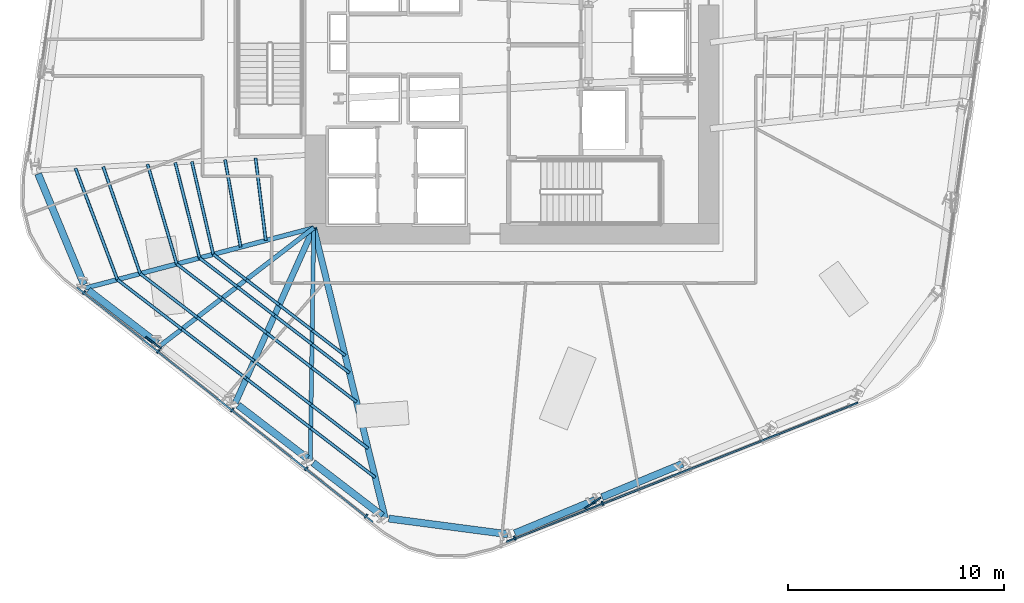
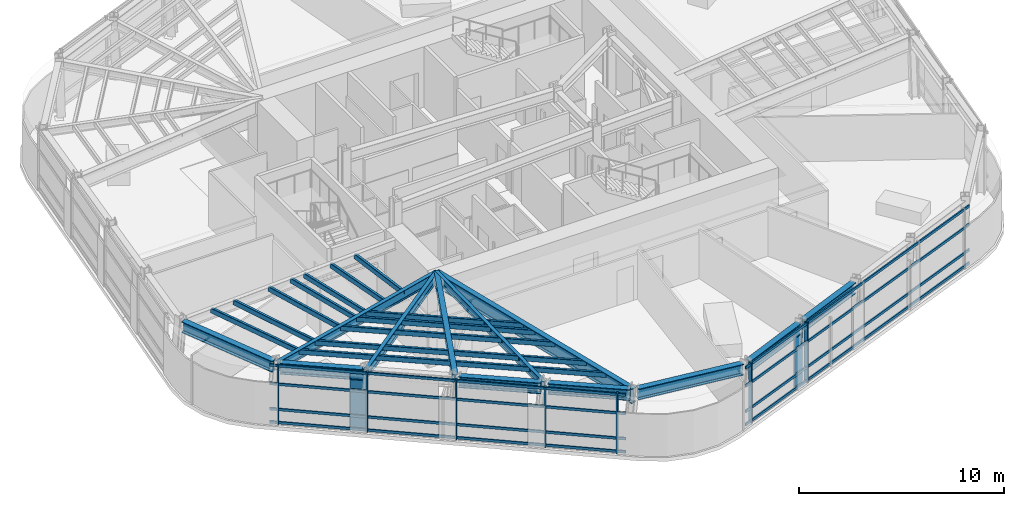
# One storey, part 2 of 17: 44 members, 12 beams, 2 elements without a shape of their own.
"""IFC4 building model written with IfcOpenShell, lengths in metres."""

from ifc_helpers import new_model, si_unit, direction, frame, origin, origin_2d, place, context, subcontext, project, spatial, rectangle, hollow_rectangle, i_section, extrude, material, layer, layer_set, material_profile, profile_set, type_object, element, aggregate, save


model = new_model("IFC4")

# Units and contexts
model_context = context("Model", 3, precision=1e-05, world=origin(), true_north=direction((0.0, 1.0)))
body_context = subcontext(model_context, "Body", "Model", "MODEL_VIEW")
ifc_project = project(units=[si_unit("LENGTHUNIT", "METRE"), si_unit("AREAUNIT", "SQUARE_METRE"), si_unit("VOLUMEUNIT", "CUBIC_METRE"), si_unit("PLANEANGLEUNIT", "RADIAN"), si_unit("MASSUNIT", "GRAM", prefix="KILO")], contexts=[model_context])

# Site, building, storey
site_placement = place(None, origin())
site = spatial("IfcSite", under=ifc_project, at=site_placement, CompositionType="ELEMENT")
building_placement = place(site_placement, origin())
building = spatial("IfcBuilding", under=site, at=building_placement, Name="Valkerne Bourse Tower", CompositionType="ELEMENT")
storey_placement = place(building_placement, frame((0.0, 0.0, 116.199951171875)))
storey = spatial("IfcBuildingStorey", under=building, at=storey_placement, Name="L29", CompositionType="ELEMENT", Elevation=116.199951171875)

# Beams
ifc_material_1 = material(Name="Steel ASTM A992", Category="steel")
ifc_material_profile_1 = material_profile(ifc_material_1, i_section(OverallWidth=0.1904296875, OverallDepth=0.457275390625, WebThickness=0.009033203125, FlangeThickness=0.014404296875, FilletRadius=0.01513671875, at=origin_2d()), Name="W18X50")
ifc_profile_set_1 = profile_set([ifc_material_profile_1], Name="Steel ASTM A992")
beam_type_1 = type_object("IfcBeamType", Name="BM-W18X50", PredefinedType="JOIST", material=ifc_profile_set_1)
beam_1_placement = place(storey_placement, frame((37.43994140625, 7.601806640625, 3.3515625), z_axis=(0.014830266494, 0.999890025551, 0.0), x_axis=(-0.999890025551, 0.014830266494, 0.0)))
element("IfcBeam", 1, at=beam_1_placement, inside=storey, type_object=beam_type_1, Name="L29 Radial Composite Floor Beam 18", PredefinedType="JOIST", context=body_context, shape_type="SweptSolid", body=[
    extrude(i_section(OverallWidth=0.1904296875, OverallDepth=0.457275390625, WebThickness=0.009033203125, FlangeThickness=0.014404296875, FilletRadius=0.01513671875, at=origin_2d()), origin(), (0.0, 0.0, 1.0), 10.79931640625),
])
ifc_material_profile_2 = material_profile(ifc_material_1, i_section(OverallWidth=0.279296875, OverallDepth=0.46240234375, WebThickness=0.0107421875, FlangeThickness=0.017333984375, FilletRadius=0.017822265625, at=origin_2d()), Name="W18X76")
ifc_profile_set_2 = profile_set([ifc_material_profile_2], Name="Steel ASTM A992")
beam_type_2 = type_object("IfcBeamType", Name="BM-W18X76", PredefinedType="BEAM", material=ifc_profile_set_2)
beam_2_placement = place(storey_placement, frame((33.962646484375, 10.27001953125, 3.348876953125), z_axis=(0.408403325383, 0.912801579653, 0.0), x_axis=(-0.912801579653, 0.408403325383, 0.0)))
element("IfcBeam", 2, at=beam_2_placement, inside=storey, type_object=beam_type_2, Name="L29 Radial Composite Floor Beam 17", PredefinedType="BEAM", context=body_context, shape_type="SweptSolid", body=[
    extrude(i_section(OverallWidth=0.279296875, OverallDepth=0.46240234375, WebThickness=0.0107421875, FlangeThickness=0.017333984375, FilletRadius=0.017822265625, at=origin_2d()), origin(), (0.0, 0.0, 1.0), 8.906494140625),
])
ifc_material_profile_3 = material_profile(ifc_material_1, i_section(OverallWidth=0.209228515625, OverallDepth=0.533447265625, WebThickness=0.01025390625, FlangeThickness=0.015625, FilletRadius=0.017822265625, at=origin_2d()), Name="W21X62")
ifc_profile_set_3 = profile_set([ifc_material_profile_3], Name="Steel ASTM A992")
beam_type_3 = type_object("IfcBeamType", Name="BM-W21X62", PredefinedType="JOIST", material=ifc_profile_set_3)
beam_3_placement = place(storey_placement, frame((30.4853515625, 12.938232421875, 3.313232421875), z_axis=(0.79322768856, 0.608925146551, 0.0), x_axis=(-0.608925146551, 0.79322768856, 0.0)))
element("IfcBeam", 3, at=beam_3_placement, inside=storey, type_object=beam_type_3, Name="L29 Radial Composite Floor Beam 16", PredefinedType="JOIST", context=body_context, shape_type="SweptSolid", body=[
    extrude(i_section(OverallWidth=0.209228515625, OverallDepth=0.533447265625, WebThickness=0.01025390625, FlangeThickness=0.015625, FilletRadius=0.017822265625, at=origin_2d()), origin(), (0.0, 0.0, 1.0), 8.969482421875),
])
ifc_material_profile_4 = material_profile(ifc_material_1, i_section(OverallWidth=0.2138671875, OverallDepth=0.548583984375, WebThickness=0.0146484375, FlangeThickness=0.023681640625, FilletRadius=0.017822265625, at=origin_2d()), Name="W21X93")
ifc_profile_set_4 = profile_set([ifc_material_profile_4], Name="Steel ASTM A992")
beam_type_4 = type_object("IfcBeamType", Name="BM-W21X93", PredefinedType="BEAM", material=ifc_profile_set_4)
beam_4_placement = place(storey_placement, frame((27.008056640625, 15.6064453125, 3.3056640625), z_axis=(0.966937844561, 0.255012165898, 0.0), x_axis=(-0.255012165898, 0.966937844561, 0.0)))
element("IfcBeam", 4, at=beam_4_placement, inside=storey, type_object=beam_type_4, Name="L29 Radial Composite Floor Beam 15", PredefinedType="BEAM", context=body_context, shape_type="SweptSolid", body=[
    extrude(i_section(OverallWidth=0.2138671875, OverallDepth=0.548583984375, WebThickness=0.0146484375, FlangeThickness=0.023681640625, FilletRadius=0.017822265625, at=origin_2d()), origin(), (0.0, 0.0, 1.0), 10.9541015625),
])
ifc_material_profile_5 = material_profile(ifc_material_1, i_section(OverallWidth=0.330078125, OverallDepth=0.647705078125, WebThickness=0.0205078125, FlangeThickness=0.037109375, FilletRadius=0.020263671875, at=origin_2d()), Name="W24X192")
ifc_profile_set_5 = profile_set([ifc_material_profile_5], Name="Steel ASTM A992")
beam_type_5 = type_object("IfcBeamType", Name="BM-W24X192", PredefinedType="SPANDREL", material=ifc_profile_set_5)
beam_5_placement = place(storey_placement, frame((24.813720703125, 20.904296875, 3.25634765625), z_axis=(0.382679875266, -0.923881005902, 0.0), x_axis=(0.923881005902, 0.382679875266, 0.0)))
element("IfcBeam", 5, at=beam_5_placement, inside=storey, type_object=beam_type_5, Name="L29 Hexagonal Spandrel Ring Beam 14", PredefinedType="SPANDREL", context=body_context, shape_type="SweptSolid", body=[
    extrude(i_section(OverallWidth=0.330078125, OverallDepth=0.647705078125, WebThickness=0.0205078125, FlangeThickness=0.037109375, FilletRadius=0.020263671875, at=origin_2d()), origin(), (0.0, 0.0, 1.0), 5.564453125),
])
beam_6_placement = place(storey_placement, frame((27.14306640625, 15.5029296875, 3.25634765625), z_axis=(0.793335100827, -0.608785198404, 0.0), x_axis=(0.608785198404, 0.793335100827, 0.0)))
element("IfcBeam", 6, at=beam_6_placement, inside=storey, type_object=beam_type_5, Name="L29 Hexagonal Spandrel Ring Beam 15", PredefinedType="SPANDREL", context=body_context, shape_type="SweptSolid", body=[
    extrude(i_section(OverallWidth=0.330078125, OverallDepth=0.647705078125, WebThickness=0.0205078125, FlangeThickness=0.037109375, FilletRadius=0.020263671875, at=origin_2d()), origin(), (0.0, 0.0, 1.0), 4.042724609375),
])
for number, where, z_axis, x_axis, name in (
    (7, (34.097412109375, 10.16650390625, 3.25634765625), (0.79335748069, -0.608756033098, 0.0), (0.608756033098, 0.79335748069, 0.0), "L29 Hexagonal Spandrel Ring Beam 17"),
    (8, (37.57470703125, 7.498291015625, 3.25634765625), (0.79335748069, -0.608756033098, 0.0), (0.608756033098, 0.79335748069, 0.0), "L29 Hexagonal Spandrel Ring Beam 18"),
):
    element("IfcBeam", number, at=place(storey_placement, frame(where, z_axis=z_axis, x_axis=x_axis)), inside=storey, type_object=beam_type_5, Name=name, PredefinedType="SPANDREL", context=body_context, shape_type="SweptSolid", body=[
        extrude(i_section(OverallWidth=0.330078125, OverallDepth=0.647705078125, WebThickness=0.0205078125, FlangeThickness=0.037109375, FilletRadius=0.020263671875, at=origin_2d()), origin(), (0.0, 0.0, 1.0), 4.04296875),
    ])
beam_7_placement = place(storey_placement, frame((41.085693359375, 4.911376953125, 3.25634765625), z_axis=(0.991445333406, -0.13052260673, 0.0), x_axis=(0.13052260673, 0.991445333406, 0.0)))
element("IfcBeam", 9, at=beam_7_placement, inside=storey, type_object=beam_type_5, Name="L29 Hexagonal Spandrel Ring Beam 19", PredefinedType="SPANDREL", context=body_context, shape_type="SweptSolid", body=[
    extrude(i_section(OverallWidth=0.330078125, OverallDepth=0.647705078125, WebThickness=0.0205078125, FlangeThickness=0.037109375, FilletRadius=0.020263671875, at=origin_2d()), origin(), (0.0, 0.0, 1.0), 5.564697265625),
])
beam_8_placement = place(storey_placement, frame((46.92822265625, 4.22802734375, 3.25634765625), z_axis=(0.923889513086, 0.382659336237, 0.0), x_axis=(-0.382659336237, 0.923889513086, 0.0)))
element("IfcBeam", 10, at=beam_8_placement, inside=storey, type_object=beam_type_5, Name="L29 Hexagonal Spandrel Ring Beam 20", PredefinedType="SPANDREL", context=body_context, shape_type="SweptSolid", body=[
    extrude(i_section(OverallWidth=0.330078125, OverallDepth=0.647705078125, WebThickness=0.0205078125, FlangeThickness=0.037109375, FilletRadius=0.020263671875, at=origin_2d()), origin(), (0.0, 0.0, 1.0), 4.04296875),
])
beam_9_placement = place(storey_placement, frame((50.977783203125, 5.9052734375, 3.25634765625), z_axis=(0.923880670291, 0.382680685511, 0.0), x_axis=(-0.382680685511, 0.923880670291, 0.0)))
element("IfcBeam", 11, at=beam_9_placement, inside=storey, type_object=beam_type_5, Name="L29 Hexagonal Spandrel Ring Beam 21", PredefinedType="SPANDREL", context=body_context, shape_type="SweptSolid", body=[
    extrude(i_section(OverallWidth=0.330078125, OverallDepth=0.647705078125, WebThickness=0.0205078125, FlangeThickness=0.037109375, FilletRadius=0.020263671875, at=origin_2d()), origin(), (0.0, 0.0, 1.0), 4.042724609375),
])
ifc_material_profile_6 = material_profile(ifc_material_1, i_section(OverallWidth=0.2919921875, OverallDepth=0.8583984375, WebThickness=0.01708984375, FlangeThickness=0.031005859375, FilletRadius=0.025390625, at=origin_2d()), Name="W33X169")
ifc_profile_set_6 = profile_set([ifc_material_profile_6], Name="Steel ASTM A992")
beam_type_6 = type_object("IfcBeamType", Name="BM-W33X169", PredefinedType="BEAM", material=ifc_profile_set_6)
beam_10_placement = place(storey_placement, frame((40.9169921875, 4.93359375, 3.15087890625), z_axis=(-0.239162552574, 0.970979543269, 0.0), x_axis=(-0.970979543269, -0.239162552574, 0.0)))
element("IfcBeam", 12, at=beam_10_placement, inside=storey, type_object=beam_type_6, Name="L29 Radial Composite Floor Beam 19", PredefinedType="BEAM", context=body_context, shape_type="SweptSolid", body=[
    extrude(i_section(OverallWidth=0.2919921875, OverallDepth=0.8583984375, WebThickness=0.01708984375, FlangeThickness=0.031005859375, FilletRadius=0.025390625, at=origin_2d()), origin(), (0.0, 0.0, 1.0), 13.868896484375),
])

# Curtain wall, members
ifc_material_2 = material(Name="Aluminium AA 6063-T6", Category="aluminium")
ifc_layer = layer(ifc_material_2, 0.22998046875)
ifc_layer_set = layer_set([ifc_layer], Name="Aluminium AA 6063-T6")
curtain_wall_type = type_object("IfcCurtainWallType", Name="CW-02", PredefinedType="NOTDEFINED", material=ifc_layer_set)
curtain_wall_1_placement = place(storey_placement, origin())
curtain_wall_1 = element("IfcCurtainWall", 13, at=curtain_wall_1_placement, inside=storey, type_object=curtain_wall_type, Name="L29 Hexagonal Stick Curtain Wall Face 4", PredefinedType="NOTDEFINED")
ifc_material_profile_7 = material_profile(ifc_material_2, rectangle(XDim=0.074951171875, YDim=0.199951171875, at=origin_2d()), Name="CWM-75X200")
ifc_profile_set_7 = profile_set([ifc_material_profile_7], Name="Aluminium AA 6063-T6")
member_type_1 = type_object("IfcMemberType", Name="CW-MUL-220X75", PredefinedType="MULLION", material=ifc_profile_set_7)
member_1_placement = place(storey_placement, frame((26.94970703125, 15.391357421875, 0.0), z_axis=(0.0, 0.0, 1.0), x_axis=(0.783689924695, -0.621152237323, 0.0)))
member_1 = element("IfcMember", 14, at=member_1_placement, type_object=member_type_1, Name="CW-L29-F4 Jamb Mullion 00A", PredefinedType="MULLION", context=body_context, shape_type="SweptSolid", body=[
    extrude(rectangle(XDim=0.074951171875, YDim=0.199951171875, at=origin_2d()), origin(), (0.0, 0.0, 1.0), 3.580078125),
])
member_2_placement = place(storey_placement, frame((30.384521484375, 12.6689453125, 0.0), z_axis=(0.0, 0.0, 1.0), x_axis=(0.783689924695, -0.621152237323, 0.0)))
member_2 = element("IfcMember", 15, at=member_2_placement, type_object=member_type_1, Name="CW-L29-F4 Jamb Mullion 01A", PredefinedType="MULLION", context=body_context, shape_type="SweptSolid", body=[
    extrude(rectangle(XDim=0.074951171875, YDim=0.199951171875, at=origin_2d()), origin(), (0.0, 0.0, 1.0), 3.580078125),
])
member_3_placement = place(storey_placement, frame((33.8193359375, 9.9462890625, 0.0), z_axis=(0.0, 0.0, 1.0), x_axis=(0.783689924695, -0.621152237323, 0.0)))
member_3 = element("IfcMember", 16, at=member_3_placement, type_object=member_type_1, Name="CW-L29-F4 Jamb Mullion 02A", PredefinedType="MULLION", context=body_context, shape_type="SweptSolid", body=[
    extrude(rectangle(XDim=0.074951171875, YDim=0.199951171875, at=origin_2d()), origin(), (0.0, 0.0, 1.0), 3.580078125),
])
member_4_placement = place(storey_placement, frame((37.25439453125, 7.223876953125, 0.0), z_axis=(0.0, 0.0, 1.0), x_axis=(0.783698727371, -0.621141131078, 0.0)))
member_4 = element("IfcMember", 17, at=member_4_placement, type_object=member_type_1, Name="CW-L29-F4 Jamb Mullion 03A", PredefinedType="MULLION", context=body_context, shape_type="SweptSolid", body=[
    extrude(rectangle(XDim=0.074951171875, YDim=0.199951171875, at=origin_2d()), origin(), (0.0, 0.0, 1.0), 3.580078125),
])
member_5_placement = place(storey_placement, frame((40.031005859375, 5.023193359375, 0.0), z_axis=(0.0, 0.0, 1.0), x_axis=(0.783698727371, -0.621141131078, 0.0)))
member_5 = element("IfcMember", 18, at=member_5_placement, type_object=member_type_1, Name="CW-L29-F4 Jamb Mullion 03B", PredefinedType="MULLION", context=body_context, shape_type="SweptSolid", body=[
    extrude(rectangle(XDim=0.074951171875, YDim=0.199951171875, at=origin_2d()), origin(), (0.0, 0.0, 1.0), 3.580078125),
])

curtain_wall_2_placement = place(storey_placement, origin())
curtain_wall_2 = element("IfcCurtainWall", 19, at=curtain_wall_2_placement, inside=storey, type_object=curtain_wall_type, Name="L29 Hexagonal Stick Curtain Wall Face 5", PredefinedType="NOTDEFINED")
member_6_placement = place(storey_placement, frame((46.92822265625, 4.004638671875, 0.0), z_axis=(0.0, 0.0, 1.0), x_axis=(0.929783187694, 0.368107625404, 0.0)))
member_6 = element("IfcMember", 20, at=member_6_placement, type_object=member_type_1, Name="CW-L29-F5 Jamb Mullion 00A", PredefinedType="MULLION", context=body_context, shape_type="SweptSolid", body=[
    extrude(rectangle(XDim=0.074951171875, YDim=0.199951171875, at=origin_2d()), origin(), (0.0, 0.0, 1.0), 3.580078125),
])
member_7_placement = place(storey_placement, frame((51.00341796875, 5.6181640625, 0.0), z_axis=(0.0, 0.0, 1.0), x_axis=(0.929775378666, 0.368127349196, 0.0)))
member_7 = element("IfcMember", 21, at=member_7_placement, type_object=member_type_1, Name="CW-L29-F5 Jamb Mullion 01A", PredefinedType="MULLION", context=body_context, shape_type="SweptSolid", body=[
    extrude(rectangle(XDim=0.074951171875, YDim=0.199951171875, at=origin_2d()), origin(), (0.0, 0.0, 1.0), 3.580078125),
])

# Member
ifc_material_profile_8 = material_profile(ifc_material_2, rectangle(XDim=0.074951171875, YDim=0.14990234375, at=origin_2d()), Name="CWT-75X150")
ifc_profile_set_8 = profile_set([ifc_material_profile_8], Name="Aluminium AA 6063-T6")
member_type_2 = type_object("IfcMemberType", Name="CW-TRN-180X65", PredefinedType="USERDEFINED", material=ifc_profile_set_8)
member_8_placement = place(storey_placement, frame((26.60791015625, 15.63671875, 0.1201171875), z_axis=(0.783689343701, -0.621152970346, 0.0), x_axis=(0.621152970346, 0.783689343701, 0.0)))
member_8 = element("IfcMember", 22, at=member_8_placement, type_object=member_type_2, Name="CW-L29-F4 Continuous Face Transom 1", ObjectType="TRANSOM", PredefinedType="USERDEFINED", context=body_context, shape_type="SweptSolid", body=[
    extrude(rectangle(XDim=0.074951171875, YDim=0.14990234375, at=origin_2d()), origin(), (0.0, 0.0, 1.0), 17.5322265625),
])

member_9_placement = place(storey_placement, frame((26.60791015625, 15.63671875, 0.900146484375), z_axis=(0.783689343701, -0.621152970346, 0.0), x_axis=(0.621152970346, 0.783689343701, 0.0)))
member_9 = element("IfcMember", 23, at=member_9_placement, type_object=member_type_2, Name="CW-L29-F4 Continuous Face Transom 2", ObjectType="TRANSOM", PredefinedType="USERDEFINED", context=body_context, shape_type="SweptSolid", body=[
    extrude(rectangle(XDim=0.074951171875, YDim=0.14990234375, at=origin_2d()), origin(), (0.0, 0.0, 1.0), 17.5322265625),
])

member_10_placement = place(storey_placement, frame((26.60791015625, 15.63671875, 2.400146484375), z_axis=(0.783689343701, -0.621152970346, 0.0), x_axis=(0.621152970346, 0.783689343701, 0.0)))
member_10 = element("IfcMember", 24, at=member_10_placement, type_object=member_type_2, Name="CW-L29-F4 Continuous Face Transom 3", ObjectType="TRANSOM", PredefinedType="USERDEFINED", context=body_context, shape_type="SweptSolid", body=[
    extrude(rectangle(XDim=0.074951171875, YDim=0.14990234375, at=origin_2d()), origin(), (0.0, 0.0, 1.0), 17.5322265625),
])

member_11_placement = place(storey_placement, frame((26.60791015625, 15.63671875, 3.5), z_axis=(0.783689343701, -0.621152970346, 0.0), x_axis=(0.621152970346, 0.783689343701, 0.0)))
member_11 = element("IfcMember", 25, at=member_11_placement, type_object=member_type_2, Name="CW-L29-F4 Continuous Face Transom 4", ObjectType="TRANSOM", PredefinedType="USERDEFINED", context=body_context, shape_type="SweptSolid", body=[
    extrude(rectangle(XDim=0.074951171875, YDim=0.14990234375, at=origin_2d()), origin(), (0.0, 0.0, 1.0), 17.5322265625),
])

aggregate(curtain_wall_1, [member_8, member_9, member_10, member_11, member_1, member_2, member_3, member_4, member_5])

member_12_placement = place(storey_placement, frame((46.544921875, 3.83154296875, 0.1201171875), z_axis=(0.929778017262, 0.368120684854, 0.0), x_axis=(-0.368120684854, 0.929778017262, 0.0)))
member_12 = element("IfcMember", 26, at=member_12_placement, type_object=member_type_2, Name="CW-L29-F5 Continuous Face Transom 1", ObjectType="TRANSOM", PredefinedType="USERDEFINED", context=body_context, shape_type="SweptSolid", body=[
    extrude(rectangle(XDim=0.074951171875, YDim=0.14990234375, at=origin_2d()), origin(), (0.0, 0.0, 1.0), 17.531982421875),
])

member_13_placement = place(storey_placement, frame((46.544921875, 3.83154296875, 0.900146484375), z_axis=(0.929778017262, 0.368120684854, 0.0), x_axis=(-0.368120684854, 0.929778017262, 0.0)))
member_13 = element("IfcMember", 27, at=member_13_placement, type_object=member_type_2, Name="CW-L29-F5 Continuous Face Transom 2", ObjectType="TRANSOM", PredefinedType="USERDEFINED", context=body_context, shape_type="SweptSolid", body=[
    extrude(rectangle(XDim=0.074951171875, YDim=0.14990234375, at=origin_2d()), origin(), (0.0, 0.0, 1.0), 17.531982421875),
])

member_14_placement = place(storey_placement, frame((46.544921875, 3.83154296875, 2.400146484375), z_axis=(0.929778017262, 0.368120684854, 0.0), x_axis=(-0.368120684854, 0.929778017262, 0.0)))
member_14 = element("IfcMember", 28, at=member_14_placement, type_object=member_type_2, Name="CW-L29-F5 Continuous Face Transom 3", ObjectType="TRANSOM", PredefinedType="USERDEFINED", context=body_context, shape_type="SweptSolid", body=[
    extrude(rectangle(XDim=0.074951171875, YDim=0.14990234375, at=origin_2d()), origin(), (0.0, 0.0, 1.0), 17.531982421875),
])

member_15_placement = place(storey_placement, frame((46.544921875, 3.83154296875, 3.5), z_axis=(0.929778017262, 0.368120684854, 0.0), x_axis=(-0.368120684854, 0.929778017262, 0.0)))
member_15 = element("IfcMember", 29, at=member_15_placement, type_object=member_type_2, Name="CW-L29-F5 Continuous Face Transom 4", ObjectType="TRANSOM", PredefinedType="USERDEFINED", context=body_context, shape_type="SweptSolid", body=[
    extrude(rectangle(XDim=0.074951171875, YDim=0.14990234375, at=origin_2d()), origin(), (0.0, 0.0, 1.0), 17.531982421875),
])

aggregate(curtain_wall_2, [member_12, member_13, member_14, member_15, member_6, member_7])

# Members
ifc_material_3 = material(Name="Bronze Anodised Aluminium AA 6063-T6", Category="aluminium")
ifc_material_profile_9 = material_profile(ifc_material_3, rectangle(XDim=0.070068359375, YDim=0.89990234375, at=origin_2d()), Name="FIN-70X900")
ifc_profile_set_9 = profile_set([ifc_material_profile_9], Name="Bronze Anodised Aluminium AA 6063-T6")
member_type_3 = type_object("IfcMemberType", Name="FIN-SOLAR-900", PredefinedType="USERDEFINED", material=ifc_profile_set_9)
for number, where, z_axis, x_axis, name in (
    (30, (30.1669921875, 13.07080078125, 0.004150390625), (0.0, 0.0, 1.0), (-0.603985645978, -0.796995194121, 0.0), "L29 Bronze Anodised Solar Fin F4-01"),
    (31, (50.546630859375, 5.630859375, 0.004150390625), (0.0, 0.0, 1.0), (0.563508837311, -0.826110035209, 0.0), "L29 Bronze Anodised Solar Fin F5-01"),
):
    element("IfcMember", number, at=place(storey_placement, frame(where, z_axis=z_axis, x_axis=x_axis)), inside=storey, type_object=member_type_3, Name=name, ObjectType="SOLAR_FIN", PredefinedType="USERDEFINED", context=body_context, shape_type="SweptSolid", body=[
        extrude(rectangle(XDim=0.070068359375, YDim=0.89990234375, at=origin_2d()), origin(), (0.0, 0.0, 1.0), 3.57177734375),
    ])
ifc_material_4 = material(Name="Steel ASTM A500 Grade C", Category="steel")
ifc_material_profile_10 = material_profile(ifc_material_4, hollow_rectangle(XDim=0.14990234375, YDim=0.300048828125, WallThickness=0.012451171875, OuterFilletRadius=0.02490234375, at=origin_2d()), Name="HSS300X150X12.5")
ifc_profile_set_10 = profile_set([ifc_material_profile_10], Name="Steel ASTM A500 Grade C")
member_type_4 = type_object("IfcMemberType", Name="MBR-HSS300X150X12.5", PredefinedType="PURLIN", material=ifc_profile_set_10)
member_16_placement = place(storey_placement, frame((33.487548828125, 21.563720703125, 3.420166015625), z_axis=(0.175454401242, -0.984487558624, 0.0), x_axis=(0.984487558624, 0.175454401242, 0.0)))
element("IfcMember", 32, at=member_16_placement, inside=storey, type_object=member_type_4, Name="L29 Secondary Composite Floor Purlin I-14", PredefinedType="PURLIN", context=body_context, shape_type="SweptSolid", body=[
    extrude(hollow_rectangle(XDim=0.14990234375, YDim=0.300048828125, WallThickness=0.012451171875, OuterFilletRadius=0.02490234375, at=origin_2d()), origin(), (0.0, 0.0, 1.0), 4.12158203125),
])
member_17_placement = place(storey_placement, frame((31.9453125, 21.47509765625, 3.420166015625), z_axis=(0.225097639733, -0.974336211267, 0.0), x_axis=(0.974336211267, 0.225097639733, 0.0)))
element("IfcMember", 33, at=member_17_placement, inside=storey, type_object=member_type_4, Name="L29 Secondary Composite Floor Purlin K-14", PredefinedType="PURLIN", context=body_context, shape_type="SweptSolid", body=[
    extrude(hollow_rectangle(XDim=0.14990234375, YDim=0.300048828125, WallThickness=0.012451171875, OuterFilletRadius=0.02490234375, at=origin_2d()), origin(), (0.0, 0.0, 1.0), 4.41748046875),
])
for number, where, z_axis, x_axis, name in (
    (34, (32.939697265625, 17.1708984375, 3.420166015625), (0.793296527688, -0.608835461483, 0.0), (0.608835461483, 0.793296527688, 0.0), "L29 Secondary Composite Floor Purlin K-15"),
    (35, (34.469482421875, 15.996826171875, 3.420166015625), (0.793343450023, -0.608774318041, 0.0), (0.608774318041, 0.793343450023, 0.0), "L29 Secondary Composite Floor Purlin K-16"),
    (36, (35.99951171875, 14.82275390625, 3.420166015625), (0.793343450023, -0.608774318041, 0.0), (0.608774318041, 0.793343450023, 0.0), "L29 Secondary Composite Floor Purlin K-17"),
    (37, (37.529541015625, 13.648681640625, 3.420166015625), (0.793404589843, -0.608694633471, 0.0), (0.608694633471, 0.793404589843, 0.0), "L29 Secondary Composite Floor Purlin K-18"),
):
    element("IfcMember", number, at=place(storey_placement, frame(where, z_axis=z_axis, x_axis=x_axis)), inside=storey, type_object=member_type_4, Name=name, PredefinedType="PURLIN", context=body_context, shape_type="SweptSolid", body=[
        extrude(hollow_rectangle(XDim=0.14990234375, YDim=0.300048828125, WallThickness=0.012451171875, OuterFilletRadius=0.02490234375, at=origin_2d()), origin(), (0.0, 0.0, 1.0), 1.928466796875),
    ])
member_18_placement = place(storey_placement, frame((31.17431640625, 21.4306640625, 3.420166015625), z_axis=(0.247272251738, -0.968946042626, 0.0), x_axis=(0.968946042626, 0.247272251738, 0.0)))
element("IfcMember", 38, at=member_18_placement, inside=storey, type_object=member_type_4, Name="L29 Secondary Composite Floor Purlin M-14", PredefinedType="PURLIN", context=body_context, shape_type="SweptSolid", body=[
    extrude(hollow_rectangle(XDim=0.14990234375, YDim=0.300048828125, WallThickness=0.012451171875, OuterFilletRadius=0.02490234375, at=origin_2d()), origin(), (0.0, 0.0, 1.0), 4.5693359375),
])
for number, where, z_axis, x_axis, name in (
    (39, (32.30419921875, 17.003173828125, 3.420166015625), (0.79336063016, -0.608751928549, 0.0), (0.608751928549, 0.79336063016, 0.0), "L29 Secondary Composite Floor Purlin M-15"),
    (40, (34.042724609375, 15.669189453125, 3.420166015625), (0.793306823478, -0.608822046104, 0.0), (0.608822046104, 0.793306823478, 0.0), "L29 Secondary Composite Floor Purlin M-16"),
):
    element("IfcMember", number, at=place(storey_placement, frame(where, z_axis=z_axis, x_axis=x_axis)), inside=storey, type_object=member_type_4, Name=name, PredefinedType="PURLIN", context=body_context, shape_type="SweptSolid", body=[
        extrude(hollow_rectangle(XDim=0.14990234375, YDim=0.300048828125, WallThickness=0.012451171875, OuterFilletRadius=0.02490234375, at=origin_2d()), origin(), (0.0, 0.0, 1.0), 2.19140625),
    ])
member_19_placement = place(storey_placement, frame((35.78125, 14.3349609375, 3.420166015625), z_axis=(0.793401911405, -0.608698124672, 0.0), x_axis=(0.608698124672, 0.793401911405, 0.0)))
element("IfcMember", 41, at=member_19_placement, inside=storey, type_object=member_type_4, Name="L29 Secondary Composite Floor Purlin M-17", PredefinedType="PURLIN", context=body_context, shape_type="SweptSolid", body=[
    extrude(hollow_rectangle(XDim=0.14990234375, YDim=0.300048828125, WallThickness=0.012451171875, OuterFilletRadius=0.02490234375, at=origin_2d()), origin(), (0.0, 0.0, 1.0), 2.191650390625),
])
member_20_placement = place(storey_placement, frame((37.52001953125, 13.0009765625, 3.420166015625), z_axis=(0.793306823478, -0.608822046104, 0.0), x_axis=(0.608822046104, 0.793306823478, 0.0)))
element("IfcMember", 42, at=member_20_placement, inside=storey, type_object=member_type_4, Name="L29 Secondary Composite Floor Purlin M-18", PredefinedType="PURLIN", context=body_context, shape_type="SweptSolid", body=[
    extrude(hollow_rectangle(XDim=0.14990234375, YDim=0.300048828125, WallThickness=0.012451171875, OuterFilletRadius=0.02490234375, at=origin_2d()), origin(), (0.0, 0.0, 1.0), 2.19140625),
])
member_21_placement = place(storey_placement, frame((27.8330078125, 21.23876953125, 3.420166015625), z_axis=(0.327059459769, -0.945003761778, 0.0), x_axis=(0.945003761778, 0.327059459769, 0.0)))
element("IfcMember", 43, at=member_21_placement, inside=storey, type_object=member_type_4, Name="L29 Secondary Composite Floor Purlin O-14", PredefinedType="PURLIN", context=body_context, shape_type="SweptSolid", body=[
    extrude(hollow_rectangle(XDim=0.14990234375, YDim=0.300048828125, WallThickness=0.012451171875, OuterFilletRadius=0.02490234375, at=origin_2d()), origin(), (0.0, 0.0, 1.0), 5.250732421875),
])
for number, where, z_axis, x_axis, name in (
    (44, (29.55029296875, 16.27685546875, 3.420166015625), (0.793337315785, -0.608782311983, 0.0), (0.608782311983, 0.793337315785, 0.0), "L29 Secondary Composite Floor Purlin O-15"),
    (45, (32.19287109375, 14.2490234375, 3.420166015625), (0.793364477442, -0.608746914516, 0.0), (0.608746914516, 0.793364477442, 0.0), "L29 Secondary Composite Floor Purlin O-16"),
    (46, (34.835693359375, 12.22119140625, 3.420166015625), (0.793337315785, -0.608782311983, 0.0), (0.608782311983, 0.793337315785, 0.0), "L29 Secondary Composite Floor Purlin O-17"),
    (47, (37.478271484375, 10.193359375, 3.420166015625), (0.793364477442, -0.608746914516, 0.0), (0.608746914516, 0.793364477442, 0.0), "L29 Secondary Composite Floor Purlin O-18"),
):
    element("IfcMember", number, at=place(storey_placement, frame(where, z_axis=z_axis, x_axis=x_axis)), inside=storey, type_object=member_type_4, Name=name, PredefinedType="PURLIN", context=body_context, shape_type="SweptSolid", body=[
        extrude(hollow_rectangle(XDim=0.14990234375, YDim=0.300048828125, WallThickness=0.012451171875, OuterFilletRadius=0.02490234375, at=origin_2d()), origin(), (0.0, 0.0, 1.0), 3.3310546875),
    ])
member_22_placement = place(storey_placement, frame((29.88916015625, 21.35693359375, 3.420166015625), z_axis=(0.280840806727, -0.959754365073, 0.0), x_axis=(0.959754365073, 0.280840806727, 0.0)))
element("IfcMember", 48, at=member_22_placement, inside=storey, type_object=member_type_4, Name="L29 Secondary Composite Floor Purlin Z-14", PredefinedType="PURLIN", context=body_context, shape_type="SweptSolid", body=[
    extrude(hollow_rectangle(XDim=0.14990234375, YDim=0.300048828125, WallThickness=0.012451171875, OuterFilletRadius=0.02490234375, at=origin_2d()), origin(), (0.0, 0.0, 1.0), 4.827392578125),
])
member_23_placement = place(storey_placement, frame((31.244873046875, 16.723876953125, 3.420166015625), z_axis=(0.793334349998, -0.608786176841, 0.0), x_axis=(0.608786176841, 0.793334349998, 0.0)))
element("IfcMember", 49, at=member_23_placement, inside=storey, type_object=member_type_4, Name="L29 Secondary Composite Floor Purlin Z-15", PredefinedType="PURLIN", context=body_context, shape_type="SweptSolid", body=[
    extrude(hollow_rectangle(XDim=0.14990234375, YDim=0.300048828125, WallThickness=0.012451171875, OuterFilletRadius=0.02490234375, at=origin_2d()), origin(), (0.0, 0.0, 1.0), 2.6298828125),
])
member_24_placement = place(storey_placement, frame((33.331298828125, 15.122802734375, 3.420166015625), z_axis=(0.793344780845, -0.608772583733, 0.0), x_axis=(0.608772583733, 0.793344780845, 0.0)))
element("IfcMember", 50, at=member_24_placement, inside=storey, type_object=member_type_4, Name="L29 Secondary Composite Floor Purlin Z-16", PredefinedType="PURLIN", context=body_context, shape_type="SweptSolid", body=[
    extrude(hollow_rectangle(XDim=0.14990234375, YDim=0.300048828125, WallThickness=0.012451171875, OuterFilletRadius=0.02490234375, at=origin_2d()), origin(), (0.0, 0.0, 1.0), 2.629638671875),
])
for number, where, z_axis, x_axis, name in (
    (51, (35.41748046875, 13.52197265625, 3.420166015625), (0.793379185095, -0.608727745924, 0.0), (0.608727745924, 0.793379185095, 0.0), "L29 Secondary Composite Floor Purlin Z-17"),
    (52, (37.50390625, 11.921142578125, 3.420166015625), (0.793379185095, -0.608727745924, 0.0), (0.608727745924, 0.793379185095, 0.0), "L29 Secondary Composite Floor Purlin Z-18"),
):
    element("IfcMember", number, at=place(storey_placement, frame(where, z_axis=z_axis, x_axis=x_axis)), inside=storey, type_object=member_type_4, Name=name, PredefinedType="PURLIN", context=body_context, shape_type="SweptSolid", body=[
        extrude(hollow_rectangle(XDim=0.14990234375, YDim=0.300048828125, WallThickness=0.012451171875, OuterFilletRadius=0.02490234375, at=origin_2d()), origin(), (0.0, 0.0, 1.0), 2.6298828125),
    ])
member_25_placement = place(storey_placement, frame((34.901123046875, 21.64501953125, 3.420166015625), z_axis=(0.122921784459, -0.992416361668, 0.0), x_axis=(0.992416361668, 0.122921784459, 0.0)))
element("IfcMember", 53, at=member_25_placement, inside=storey, type_object=member_type_4, Name="L29 Secondary Composite Floor Purlin S-14", PredefinedType="PURLIN", context=body_context, shape_type="SweptSolid", body=[
    extrude(hollow_rectangle(XDim=0.14990234375, YDim=0.300048828125, WallThickness=0.012451171875, OuterFilletRadius=0.02490234375, at=origin_2d()), origin(), (0.0, 0.0, 1.0), 3.861083984375),
])
member_26_placement = place(storey_placement, frame((26.547607421875, 21.164794921875, 3.420166015625), z_axis=(0.3520198687, -0.935992527769, 0.0), x_axis=(0.935992527769, 0.3520198687, 0.0)))
element("IfcMember", 54, at=member_26_placement, inside=storey, type_object=member_type_4, Name="L29 Secondary Composite Floor Purlin T-14", PredefinedType="PURLIN", context=body_context, shape_type="SweptSolid", body=[
    extrude(hollow_rectangle(XDim=0.14990234375, YDim=0.300048828125, WallThickness=0.012451171875, OuterFilletRadius=0.02490234375, at=origin_2d()), origin(), (0.0, 0.0, 1.0), 5.5205078125),
])
member_27_placement = place(storey_placement, frame((28.490966796875, 15.99755859375, 3.420166015625), z_axis=(0.793352973546, -0.60876190696, 0.0), x_axis=(0.60876190696, 0.793352973546, 0.0)))
element("IfcMember", 55, at=member_27_placement, inside=storey, type_object=member_type_4, Name="L29 Secondary Composite Floor Purlin T-15", PredefinedType="PURLIN", context=body_context, shape_type="SweptSolid", body=[
    extrude(hollow_rectangle(XDim=0.14990234375, YDim=0.300048828125, WallThickness=0.012451171875, OuterFilletRadius=0.02490234375, at=origin_2d()), origin(), (0.0, 0.0, 1.0), 3.76953125),
])
member_28_placement = place(storey_placement, frame((31.4814453125, 13.702880859375, 3.420166015625), z_axis=(0.793328968959, -0.608793189031, 0.0), x_axis=(0.608793189031, 0.793328968959, 0.0)))
element("IfcMember", 56, at=member_28_placement, inside=storey, type_object=member_type_4, Name="L29 Secondary Composite Floor Purlin T-16", PredefinedType="PURLIN", context=body_context, shape_type="SweptSolid", body=[
    extrude(hollow_rectangle(XDim=0.14990234375, YDim=0.300048828125, WallThickness=0.012451171875, OuterFilletRadius=0.02490234375, at=origin_2d()), origin(), (0.0, 0.0, 1.0), 3.769287109375),
])
member_29_placement = place(storey_placement, frame((34.4716796875, 11.408203125, 3.420166015625), z_axis=(0.793376974432, -0.608730627158, 0.0), x_axis=(0.608730627158, 0.793376974432, 0.0)))
element("IfcMember", 57, at=member_29_placement, inside=storey, type_object=member_type_4, Name="L29 Secondary Composite Floor Purlin T-17", PredefinedType="PURLIN", context=body_context, shape_type="SweptSolid", body=[
    extrude(hollow_rectangle(XDim=0.14990234375, YDim=0.300048828125, WallThickness=0.012451171875, OuterFilletRadius=0.02490234375, at=origin_2d()), origin(), (0.0, 0.0, 1.0), 3.76953125),
])
member_30_placement = place(storey_placement, frame((37.46240234375, 9.113525390625, 3.420166015625), z_axis=(0.793328968959, -0.608793189031, 0.0), x_axis=(0.608793189031, 0.793328968959, 0.0)))
element("IfcMember", 58, at=member_30_placement, inside=storey, type_object=member_type_4, Name="L29 Secondary Composite Floor Purlin T-18", PredefinedType="PURLIN", context=body_context, shape_type="SweptSolid", body=[
    extrude(hollow_rectangle(XDim=0.14990234375, YDim=0.300048828125, WallThickness=0.012451171875, OuterFilletRadius=0.02490234375, at=origin_2d()), origin(), (0.0, 0.0, 1.0), 3.769287109375),
])

save(model, "model.ifc")
